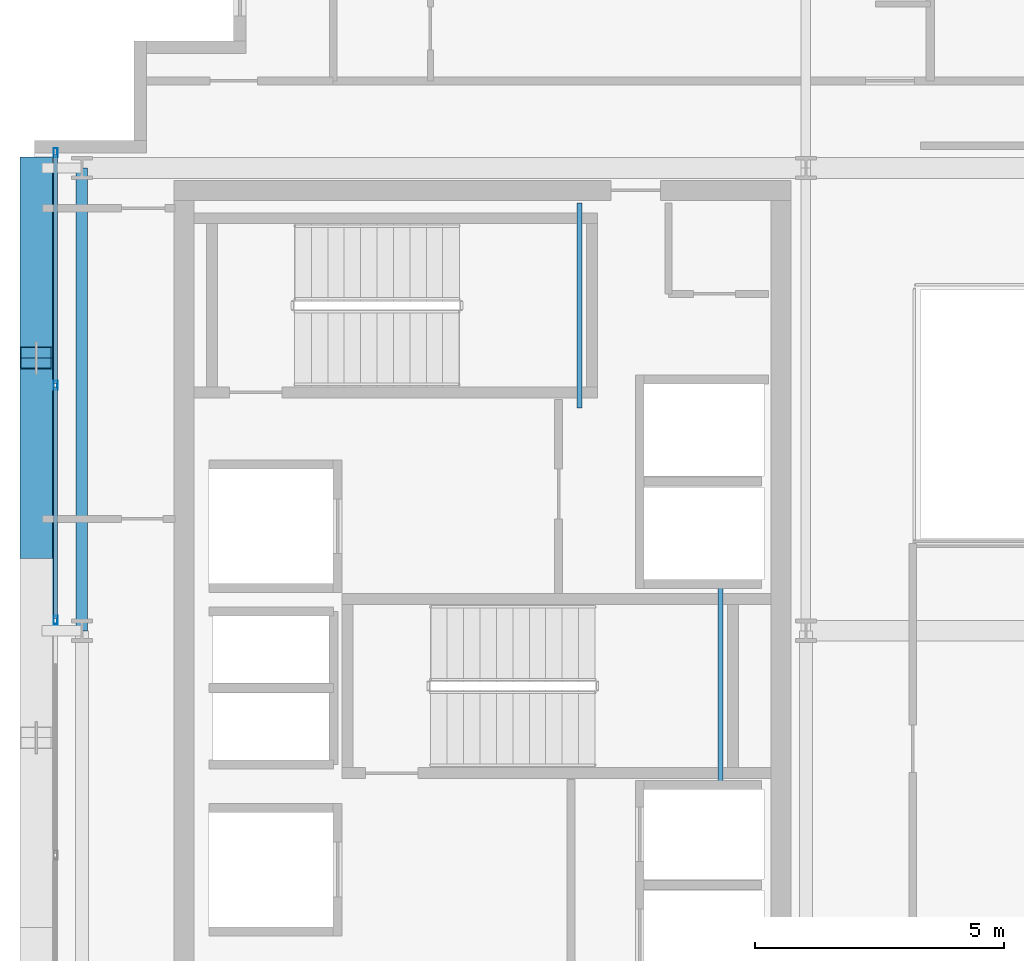
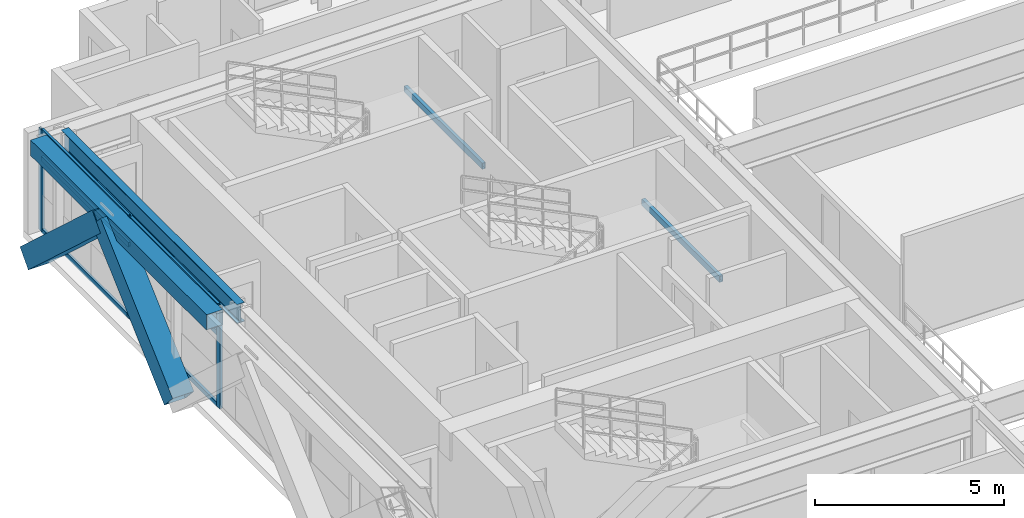
# One storey, part 7 of 28: 11 members, 4 beams, 1 element without a shape of its own.
"""IFC4 building model written with IfcOpenShell, lengths in metres."""

import ifcopenshell
import ifcopenshell.guid

model = None  # the IFC model being written
_history = None  # IfcOwnerHistory: only IFC2X3 demands one
_inside = {}  # id of a spatial element -> (the spatial element, [elements in it])
_under = {}  # id of a project, library or spatial element -> (it, [spatial elements below it])
_declared = {}  # id of a project -> (the project, [libraries it declares])
_typed = {}  # id of a type object -> (the type object, [elements of that type])
_made_of = {}  # id of a material, layer set ... -> (it, [elements and type objects made of it])


def new_model(schema):
    """Start an empty IFC model of exactly this schema.

    Asked for "IFC4X3", IfcOpenShell would pick the latest addendum, in which some entities
    have other attributes; the version numbers below select the first issue.
    IFC2X3 requires an IfcOwnerHistory on every rooted entity: one is made here for all.
    """
    global model, _history
    if schema == "IFC4X3":
        model = ifcopenshell.file(schema_version=(4, 3, 0, 0))
    else:
        model = ifcopenshell.file(schema=schema)
    _inside.clear()
    _under.clear()
    _declared.clear()
    _typed.clear()
    _made_of.clear()
    _history = None
    if model.schema == "IFC2X3":
        org = make("IfcOrganization", Name="unknown")
        user = make(
            "IfcPersonAndOrganization",
            ThePerson=make("IfcPerson", FamilyName="unknown"),
            TheOrganization=org,
        )
        app = make(
            "IfcApplication",
            ApplicationDeveloper=org,
            Version="unknown",
            ApplicationFullName="unknown",
            ApplicationIdentifier="unknown",
        )
        _history = make(
            "IfcOwnerHistory",
            OwningUser=user,
            OwningApplication=app,
            ChangeAction="ADDED",
            CreationDate=0,
        )
    return model


def make(cls, **values):
    """One entity of the class cls with the attributes given. An attribute that is None is left unset."""
    return model.create_entity(
        cls, **{name: value for name, value in values.items() if value is not None}
    )


def rooted(cls, **values):
    """An entity with a GlobalId (a new one), such as an element, a storey or a relation."""
    return make(cls, GlobalId=ifcopenshell.guid.new(), OwnerHistory=_history, **values)


def si_unit(unit_type, name, prefix=None):
    """IfcSIUnit, for example si_unit("LENGTHUNIT", "METRE", prefix="MILLI")."""
    return make("IfcSIUnit", UnitType=unit_type, Prefix=prefix, Name=name)


def assignment(units):
    """IfcUnitAssignment: the units of a project."""
    return None if units is None else make("IfcUnitAssignment", Units=units)


def point(xyz):
    """IfcCartesianPoint."""
    return None if xyz is None else make("IfcCartesianPoint", Coordinates=xyz)


def direction(xyz):
    """IfcDirection."""
    return None if xyz is None else make("IfcDirection", DirectionRatios=xyz)


def frame(location, z_axis=None, x_axis=None):
    """IfcAxis2Placement3D, a coordinate frame: its origin and axes. An axis left out is left unset."""
    return make(
        "IfcAxis2Placement3D",
        Location=point(location),
        Axis=direction(z_axis),
        RefDirection=direction(x_axis),
    )


def frame_2d(location, x_axis=None):
    """IfcAxis2Placement2D, a coordinate frame in the plane: its origin and x axis."""
    return make(
        "IfcAxis2Placement2D", Location=point(location), RefDirection=direction(x_axis)
    )


def origin():
    """The frame at (0, 0, 0) with its axes left unset."""
    return frame((0.0, 0.0, 0.0))


def origin_2d():
    """The frame at (0, 0) in the plane with its x axis left unset."""
    return frame_2d((0.0, 0.0))


def place(relative_to, where):
    """IfcLocalPlacement: puts the frame where relative to a parent placement (None: the world)."""
    return make(
        "IfcLocalPlacement", PlacementRelTo=relative_to, RelativePlacement=where
    )


def context(
    kind, dimensions, precision=None, world=None, true_north=None, identifier=None
):
    """IfcGeometricRepresentationContext, for example the 3D "Model" context."""
    return make(
        "IfcGeometricRepresentationContext",
        ContextIdentifier=identifier,
        ContextType=kind,
        CoordinateSpaceDimension=dimensions,
        Precision=precision,
        WorldCoordinateSystem=world,
        TrueNorth=true_north,
    )


def subcontext(parent, identifier, kind, view, scale=None):
    """IfcGeometricRepresentationSubContext, for example "Body" below "Model"."""
    return make(
        "IfcGeometricRepresentationSubContext",
        ContextIdentifier=identifier,
        ContextType=kind,
        ParentContext=parent,
        TargetScale=scale,
        TargetView=view,
    )


def project(units=None, contexts=None):
    """IfcProject with its units and contexts."""
    return rooted(
        "IfcProject",
        Name="project",
        RepresentationContexts=contexts,
        UnitsInContext=assignment(units),
    )


def spatial(cls, under=None, at=None, **own):
    """A site, building, storey or space (cls), placed at a placement, below another one or the project."""
    s = rooted(cls, ObjectPlacement=at, **own)
    if under is not None:
        _under.setdefault(under.id(), (under, []))[1].append(s)
    return s


def profile(cls, at=None, kind="AREA", **sizes):
    """A parametric profile (cls). Its sizes go by their IFC names, for example OverallWidth=200.0."""
    return make(cls, ProfileType=kind, Position=at, **sizes)


def hollow_rectangle(**sizes):
    """IfcRectangleHollowProfileDef."""
    return profile("IfcRectangleHollowProfileDef", **sizes)


def i_section(**sizes):
    """IfcIShapeProfileDef."""
    return profile("IfcIShapeProfileDef", **sizes)


def extrude(swept, where, along, depth):
    """IfcExtrudedAreaSolid: the profile swept, set in the frame where, extruded along a direction by depth."""
    return make(
        "IfcExtrudedAreaSolid",
        SweptArea=swept,
        Position=where,
        ExtrudedDirection=direction(along),
        Depth=depth,
    )


def shape(context_of_items, identifier, shape_type, items):
    """IfcShapeRepresentation: the items that make up one representation, for example the "Body"."""
    return make(
        "IfcShapeRepresentation",
        ContextOfItems=context_of_items,
        RepresentationIdentifier=identifier,
        RepresentationType=shape_type,
        Items=items,
    )


def source(mapping_origin, context_of_items, identifier, shape_type, items):
    """IfcRepresentationMap: a shape defined once, which mapped items show again and again."""
    return make(
        "IfcRepresentationMap",
        MappingOrigin=mapping_origin,
        MappedRepresentation=shape(context_of_items, identifier, shape_type, items),
    )


def transform(
    local_origin,
    x_axis=None,
    y_axis=None,
    z_axis=None,
    scale=None,
    scale2=None,
    scale3=None,
    uniform=True,
):
    """IfcCartesianTransformationOperator3D, or its non-uniform kind. x_axis, y_axis, z_axis: its Axis1, 2, 3."""
    if uniform:
        return make(
            "IfcCartesianTransformationOperator3D",
            Axis1=direction(x_axis),
            Axis2=direction(y_axis),
            LocalOrigin=point(local_origin),
            Scale=scale,
            Axis3=direction(z_axis),
        )
    return make(
        "IfcCartesianTransformationOperator3DnonUniform",
        Axis1=direction(x_axis),
        Axis2=direction(y_axis),
        LocalOrigin=point(local_origin),
        Scale=scale,
        Axis3=direction(z_axis),
        Scale2=scale2,
        Scale3=scale3,
    )


def mapped(mapping_source, mapping_target):
    """IfcMappedItem: shows the shape of a source again, moved by a transform."""
    return make(
        "IfcMappedItem", MappingSource=mapping_source, MappingTarget=mapping_target
    )


def material(Name=None, Category=None):
    """IfcMaterial."""
    return make("IfcMaterial", Name=Name, Category=Category)


def layer(
    of_material, thickness, ventilated=None, Name=None, Category=None, Priority=None
):
    """IfcMaterialLayer: one layer of a wall or slab, of a material (None: an air gap)."""
    return make(
        "IfcMaterialLayer",
        Material=of_material,
        LayerThickness=thickness,
        IsVentilated=ventilated,
        Name=Name,
        Category=Category,
        Priority=Priority,
    )


def layer_set(layers, Name=None):
    """IfcMaterialLayerSet."""
    return make("IfcMaterialLayerSet", MaterialLayers=layers, LayerSetName=Name)


def material_profile(
    of_material, cross_section, Name=None, Category=None, Priority=None
):
    """IfcMaterialProfile: a cross section and its material."""
    return make(
        "IfcMaterialProfile",
        Name=Name,
        Material=of_material,
        Profile=cross_section,
        Priority=Priority,
        Category=Category,
    )


def profile_set(profiles, Name=None, composite=None):
    """IfcMaterialProfileSet."""
    return make(
        "IfcMaterialProfileSet",
        Name=Name,
        MaterialProfiles=profiles,
        CompositeProfile=composite,
    )


def made_of(thing, what):
    """Note that an element or type object is made of a material, layer set ...; save() writes the relation."""
    if what is not None:
        _made_of.setdefault(what.id(), (what, []))[1].append(thing)
    return thing


def type_object(cls, material=None, **own):
    """A type object (cls), such as IfcWallType, which elements share."""
    return made_of(rooted(cls, **own), material)


def element(
    cls,
    number,
    at=None,
    inside=None,
    cuts=None,
    type_object=None,
    material=None,
    context=None,
    identifier="Body",
    shape_type=None,
    held_by="IfcProductDefinitionShape",
    body=None,
    shapes=None,
    **own,
):
    """One element of the class cls, such as IfcWall. Its Tag is "e" and its number.

    at: its placement. inside: the storey or other place that contains it. cuts: it is an
    opening in that element (IfcRelVoidsElement). A single representation is given by context,
    identifier, shape_type and body (its items); several are given by shapes. held_by: the class
    of the entity that holds the representations. save() writes the other relations.
    """
    e = rooted(cls, Tag="e%d" % number, ObjectPlacement=at, **own)
    if body is not None:
        shapes = [shape(context, identifier, shape_type, body)]
    if shapes is not None:
        e.Representation = make(held_by, Representations=shapes)
    if inside is not None:
        _inside.setdefault(inside.id(), (inside, []))[1].append(e)
    if cuts is not None:
        rooted(
            "IfcRelVoidsElement", RelatingBuildingElement=cuts, RelatedOpeningElement=e
        )
    if type_object is not None:
        _typed.setdefault(type_object.id(), (type_object, []))[1].append(e)
    return made_of(e, material)


def aggregate(whole, parts):
    """IfcRelAggregates: a whole, such as a stair, and the parts it consists of."""
    return rooted("IfcRelAggregates", RelatingObject=whole, RelatedObjects=parts)


def save(model, path):
    """Write the relations noted so far, then the file.

    IfcRelAggregates (storeys below a building ...), IfcRelContainedInSpatialStructure (elements
    in a storey), IfcRelDefinesByType, IfcRelAssociatesMaterial and IfcRelDeclares: one each for
    every whole, place, type object, material and project.
    """
    for whole, parts in _under.values():
        aggregate(whole, parts)
    for where, things in _inside.values():
        rooted(
            "IfcRelContainedInSpatialStructure",
            RelatedElements=things,
            RelatingStructure=where,
        )
    for kind, things in _typed.values():
        rooted("IfcRelDefinesByType", RelatedObjects=things, RelatingType=kind)
    for what, things in _made_of.values():
        rooted("IfcRelAssociatesMaterial", RelatedObjects=things, RelatingMaterial=what)
    for by, libraries in _declared.values():
        rooted("IfcRelDeclares", RelatingContext=by, RelatedDefinitions=libraries)
    model.write(path)


model = new_model("IFC4")

# Units and contexts
model_context = context("Model", 3, precision=1e-05, world=origin(), true_north=direction((0.0, 1.0)))
body_context = subcontext(model_context, "Body", "Model", "MODEL_VIEW")
ifc_project = project(units=[si_unit("LENGTHUNIT", "METRE"), si_unit("AREAUNIT", "SQUARE_METRE"), si_unit("VOLUMEUNIT", "CUBIC_METRE"), si_unit("PLANEANGLEUNIT", "RADIAN"), si_unit("MASSUNIT", "GRAM", prefix="KILO")], contexts=[model_context])

# Site, building, storey
site_placement = place(None, origin())
site = spatial("IfcSite", under=ifc_project, at=site_placement, CompositionType="ELEMENT")
building_placement = place(site_placement, origin())
building = spatial("IfcBuilding", under=site, at=building_placement, Name="Ocotamira Hotel", CompositionType="ELEMENT")
storey_placement = place(building_placement, frame((0.0, 0.0, 243.60009765625)))
storey = spatial("IfcBuildingStorey", under=building, at=storey_placement, Name="L61", CompositionType="ELEMENT", Elevation=243.60009765625)

# Beams
ifc_material_1 = material(Name="Steel ASTM A500 Grade C", Category="steel")
ifc_material_profile_1 = material_profile(ifc_material_1, hollow_rectangle(XDim=0.10009765625, YDim=0.199951171875, WallThickness=0.008056640625, at=origin_2d()), Name="HSS200X100X8")
ifc_profile_set_1 = profile_set([ifc_material_profile_1], Name="Steel ASTM A500 Grade C")
beam_type_1 = type_object("IfcBeamType", Name="BM-STLDG-HSS200", PredefinedType="BEAM", material=ifc_profile_set_1)
shared_shape_1 = source(origin(), body_context, "Body", "SweptSolid", [
    extrude(hollow_rectangle(XDim=0.10009765625, YDim=0.199951171875, WallThickness=0.008056640625, at=origin_2d()), origin(), (0.0, 0.0, 1.0), 4.1201171875),
])
for number, where, z_axis, x_axis, name in (
    (1, (18.949951171875, 32.6298828125, 1.5), (0.0, 1.0, 0.0), (-1.0, 0.0, 0.0), "L61 Stair ST-2 Landing Bearer 1"),
    (2, (21.780029296875, 24.97998046875, 1.5), (0.0, 1.0, 0.0), (-1.0, 0.0, 0.0), "L61 Stair ST-3 Landing Bearer 1"),
):
    element("IfcBeam", number, at=place(storey_placement, frame(where, z_axis=z_axis, x_axis=x_axis)), inside=storey, type_object=beam_type_1, Name=name, PredefinedType="BEAM", context=body_context, shape_type="MappedRepresentation", body=[
        mapped(shared_shape_1, transform((0.0, 0.0, 0.0), scale=1.0)),
    ])
ifc_material_2 = material(Name="Steel ASTM A992 Grade 50", Category="steel")
ifc_material_profile_2 = material_profile(ifc_material_2, i_section(OverallWidth=0.22998046875, OverallDepth=0.616943359375, WebThickness=0.01318359375, FlangeThickness=0.022216796875, FilletRadius=0.012939453125, at=origin_2d()), Name="W24X94")
ifc_profile_set_2 = profile_set([ifc_material_profile_2], Name="Steel ASTM A992 Grade 50")
beam_type_2 = type_object("IfcBeamType", Name="BM-PRIM-W24X94", PredefinedType="BEAM", material=ifc_profile_set_2)
shared_shape_2 = source(origin(), body_context, "Body", "SweptSolid", [
    extrude(i_section(OverallWidth=0.22998046875, OverallDepth=0.616943359375, WebThickness=0.01318359375, FlangeThickness=0.022216796875, FilletRadius=0.012939453125, at=origin_2d()), origin(), (0.0, 0.0, 1.0), 9.300048828125),
])
beam_1_placement = place(storey_placement, frame((8.949951171875, 28.14990234375, 2.971435546875), z_axis=(0.0, 1.0, 0.0), x_axis=(-1.0, 0.0, 0.0)))
element("IfcBeam", 3, at=beam_1_placement, inside=storey, type_object=beam_type_2, Name="L61 Beam X8.95 Y28.15-37.45", PredefinedType="BEAM", context=body_context, shape_type="MappedRepresentation", body=[
    mapped(shared_shape_2, transform((0.0, 0.0, 0.0), scale=1.0)),
])
ifc_material_profile_3 = material_profile(ifc_material_1, hollow_rectangle(XDim=0.5, YDim=0.5, WallThickness=0.02001953125, at=origin_2d()), Name="HSS500X500X20")
ifc_profile_set_3 = profile_set([ifc_material_profile_3], Name="Steel ASTM A500 Grade C")
beam_type_3 = type_object("IfcBeamType", Name="BM-SPAN-HSS500", PredefinedType="USERDEFINED", material=ifc_profile_set_3)
shared_shape_3 = source(origin(), body_context, "Body", "SweptSolid", [
    extrude(hollow_rectangle(XDim=0.5, YDim=0.5, WallThickness=0.02001953125, at=origin_2d()), origin(), (0.0, 0.0, 1.0), 9.300048828125),
])
beam_2_placement = place(storey_placement, frame((8.14990234375, 28.14990234375, 3.02978515625), z_axis=(0.0, 1.0, 0.0), x_axis=(-1.0, 0.0, 0.0)))
element("IfcBeam", 4, at=beam_2_placement, inside=storey, type_object=beam_type_3, Name="L61 Edge Spandrel W Y28.15-37.45", ObjectType="SPANDREL", PredefinedType="USERDEFINED", context=body_context, shape_type="MappedRepresentation", body=[
    mapped(shared_shape_3, transform((0.0, 0.0, 0.0), scale=1.0)),
])

# Members
ifc_material_3 = material(Name="Pale-metal coated steel ASTM A913 Grade 65", Category="steel")
ifc_material_profile_4 = material_profile(ifc_material_3, hollow_rectangle(XDim=0.64990234375, YDim=0.64990234375, WallThickness=0.02197265625, at=origin_2d()), Name="BOX650X650X22")
ifc_profile_set_4 = profile_set([ifc_material_profile_4], Name="Pale-metal coated steel ASTM A913 Grade 65")
member_type_1 = type_object("IfcMemberType", Name="MEM-EXO-BOX650", PredefinedType="BRACE", material=ifc_profile_set_4)
shared_shape_4 = source(origin(), body_context, "Body", "SweptSolid", [
    extrude(hollow_rectangle(XDim=0.64990234375, YDim=0.64990234375, WallThickness=0.02197265625, at=origin_2d()), origin(), (0.0, 0.0, 1.0), 5.178466796875),
])
for number, where, z_axis, x_axis, name in (
    (5, (8.030029296875, 29.816650390625, -0.47021484375), (0.0, 0.737019094846, 0.675871921174), (-1.0, 0.0, 0.0), "L61 Exoskeleton Diagrid W2.1"),
    (6, (8.030029296875, 37.449951171875, -0.47021484375), (0.0, -0.737019094846, 0.675871921174), (1.0, 0.0, 0.0), "L61 Exoskeleton Diagrid W2.2"),
):
    element("IfcMember", number, at=place(storey_placement, frame(where, z_axis=z_axis, x_axis=x_axis)), inside=storey, type_object=member_type_1, Name=name, PredefinedType="BRACE", context=body_context, shape_type="MappedRepresentation", body=[
        mapped(shared_shape_4, transform((0.0, 0.0, 0.0), scale=1.0)),
    ])

# Curtain wall, members
ifc_material_4 = material(Name="Anodised pale-metal aluminium and solar glass", Category="aluminium")
ifc_layer = layer(ifc_material_4, 0.239990234375)
ifc_layer_set = layer_set([ifc_layer], Name="Anodised pale-metal aluminium and solar glass")
curtain_wall_type = type_object("IfcCurtainWallType", Name="CW-SYS5-SKY", PredefinedType="NOTDEFINED", material=ifc_layer_set)
curtain_wall_placement = place(storey_placement, origin())
curtain_wall = element("IfcCurtainWall", 7, at=curtain_wall_placement, inside=storey, type_object=curtain_wall_type, Name="L61 Curtain Wall CW-5 CW-L61-W", PredefinedType="NOTDEFINED")
ifc_material_5 = material(Name="Anodised pale-metal aluminium 6063-T6", Category="aluminium")
ifc_material_profile_5 = material_profile(ifc_material_5, hollow_rectangle(XDim=0.080078125, YDim=0.179931640625, WallThickness=0.006103515625, at=origin_2d()), Name="HSS180X80X6")
ifc_profile_set_5 = profile_set([ifc_material_profile_5], Name="Anodised pale-metal aluminium 6063-T6")
member_type_2 = type_object("IfcMemberType", Name="CWM-180X75", PredefinedType="MULLION", material=ifc_profile_set_5)
shared_shape_5 = source(origin(), body_context, "Body", "SweptSolid", [
    extrude(hollow_rectangle(XDim=0.080078125, YDim=0.179931640625, WallThickness=0.006103515625, at=origin_2d()), origin(), (0.0, 0.0, 1.0), 3.27978515625),
])
member_1_placement = place(storey_placement, frame((8.419921875, 28.360107421875, 0.0), z_axis=(0.0, 0.0, 1.0), x_axis=(-1.0, 0.0, 0.0)))
member_1 = element("IfcMember", 8, at=member_1_placement, type_object=member_type_2, Name="CW-5 mullion 4", PredefinedType="MULLION", context=body_context, shape_type="MappedRepresentation", body=[
    mapped(shared_shape_5, transform((0.0, 0.0, 0.0), scale=1.0)),
])
member_2_placement = place(storey_placement, frame((8.419921875, 33.080078125, 0.0), z_axis=(0.0, 0.0, 1.0), x_axis=(-1.0, 0.0, 0.0)))
member_2 = element("IfcMember", 9, at=member_2_placement, type_object=member_type_2, Name="CW-5 mullion 5", PredefinedType="MULLION", context=body_context, shape_type="MappedRepresentation", body=[
    mapped(shared_shape_5, transform((0.0, 0.0, 0.0), scale=1.0)),
])
member_3_placement = place(storey_placement, frame((8.419921875, 37.760009765625, 0.0), z_axis=(0.0, 0.0, 1.0), x_axis=(-1.0, 0.0, 0.0)))
member_3 = element("IfcMember", 10, at=member_3_placement, type_object=member_type_2, Name="CW-5 mullion 6", PredefinedType="MULLION", context=body_context, shape_type="MappedRepresentation", body=[
    mapped(shared_shape_5, transform((0.0, 0.0, 0.0), scale=1.0)),
])
ifc_material_profile_6 = material_profile(ifc_material_5, hollow_rectangle(XDim=0.074951171875, YDim=0.14990234375, WallThickness=0.006103515625, at=origin_2d()), Name="HSS150X75X6")
ifc_profile_set_6 = profile_set([ifc_material_profile_6], Name="Anodised pale-metal aluminium 6063-T6")
member_type_3 = type_object("IfcMemberType", Name="CWT-150X75", PredefinedType="USERDEFINED", material=ifc_profile_set_6)
shared_shape_6 = source(origin(), body_context, "Body", "SweptSolid", [
    extrude(hollow_rectangle(XDim=0.074951171875, YDim=0.14990234375, WallThickness=0.006103515625, at=origin_2d()), origin(), (0.0, 0.0, 1.0), 4.599853515625),
])
member_4_placement = place(storey_placement, frame((8.419921875, 33.1201171875, 0.037353515625), z_axis=(0.0, 1.0, 0.0), x_axis=(-1.0, 0.0, 0.0)))
member_4 = element("IfcMember", 11, at=member_4_placement, type_object=member_type_3, Name="CW-5 transom 5.1", ObjectType="TRANSOM", PredefinedType="USERDEFINED", context=body_context, shape_type="MappedRepresentation", body=[
    mapped(shared_shape_6, transform((0.0, 0.0, 0.0), scale=1.0)),
])
member_5_placement = place(storey_placement, frame((8.419921875, 33.1201171875, 2.349853515625), z_axis=(0.0, 1.0, 0.0), x_axis=(-1.0, 0.0, 0.0)))
member_5 = element("IfcMember", 12, at=member_5_placement, type_object=member_type_3, Name="CW-5 transom 5.2", ObjectType="TRANSOM", PredefinedType="USERDEFINED", context=body_context, shape_type="MappedRepresentation", body=[
    mapped(shared_shape_6, transform((0.0, 0.0, 0.0), scale=1.0)),
])
member_6_placement = place(storey_placement, frame((8.419921875, 33.1201171875, 3.242431640625), z_axis=(0.0, 1.0, 0.0), x_axis=(-1.0, 0.0, 0.0)))
member_6 = element("IfcMember", 13, at=member_6_placement, type_object=member_type_3, Name="CW-5 transom 5.3", ObjectType="TRANSOM", PredefinedType="USERDEFINED", context=body_context, shape_type="MappedRepresentation", body=[
    mapped(shared_shape_6, transform((0.0, 0.0, 0.0), scale=1.0)),
])
shared_shape_7 = source(origin(), body_context, "Body", "SweptSolid", [
    extrude(hollow_rectangle(XDim=0.074951171875, YDim=0.14990234375, WallThickness=0.006103515625, at=origin_2d()), origin(), (0.0, 0.0, 1.0), 4.64013671875),
])
member_7_placement = place(storey_placement, frame((8.419921875, 28.39990234375, 0.037353515625), z_axis=(0.0, 1.0, 0.0), x_axis=(-1.0, 0.0, 0.0)))
member_7 = element("IfcMember", 14, at=member_7_placement, type_object=member_type_3, Name="CW-5 transom 4.1", ObjectType="TRANSOM", PredefinedType="USERDEFINED", context=body_context, shape_type="MappedRepresentation", body=[
    mapped(shared_shape_7, transform((0.0, 0.0, 0.0), scale=1.0)),
])
member_8_placement = place(storey_placement, frame((8.419921875, 28.39990234375, 2.349853515625), z_axis=(0.0, 1.0, 0.0), x_axis=(-1.0, 0.0, 0.0)))
member_8 = element("IfcMember", 15, at=member_8_placement, type_object=member_type_3, Name="CW-5 transom 4.2", ObjectType="TRANSOM", PredefinedType="USERDEFINED", context=body_context, shape_type="MappedRepresentation", body=[
    mapped(shared_shape_7, transform((0.0, 0.0, 0.0), scale=1.0)),
])
member_9_placement = place(storey_placement, frame((8.419921875, 28.39990234375, 3.242431640625), z_axis=(0.0, 1.0, 0.0), x_axis=(-1.0, 0.0, 0.0)))
member_9 = element("IfcMember", 16, at=member_9_placement, type_object=member_type_3, Name="CW-5 transom 4.3", ObjectType="TRANSOM", PredefinedType="USERDEFINED", context=body_context, shape_type="MappedRepresentation", body=[
    mapped(shared_shape_7, transform((0.0, 0.0, 0.0), scale=1.0)),
])
aggregate(curtain_wall, [member_1, member_2, member_3, member_7, member_8, member_9, member_4, member_5, member_6])

save(model, "model.ifc")
